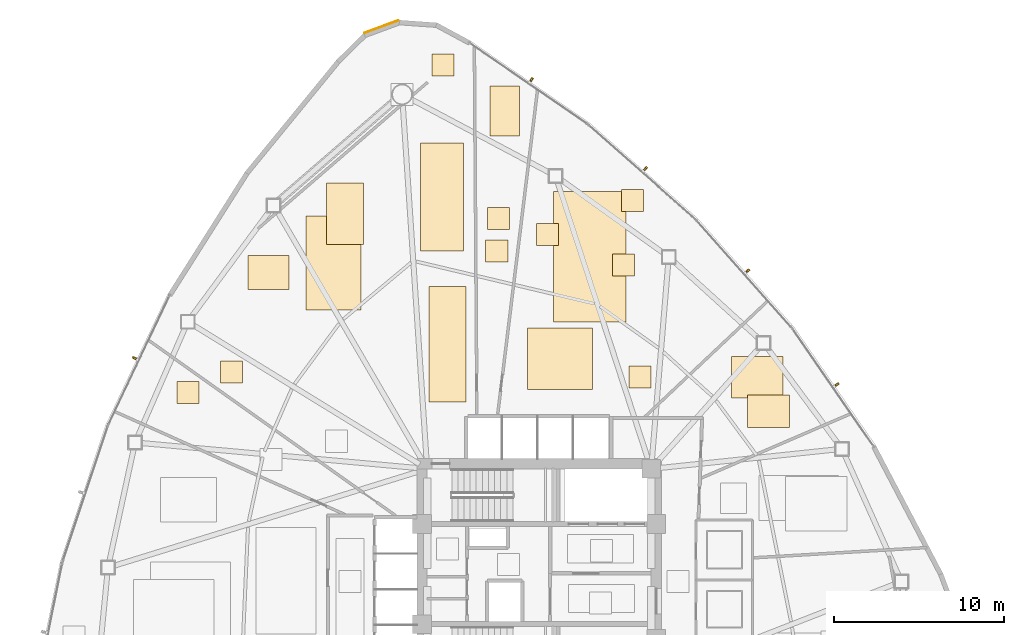
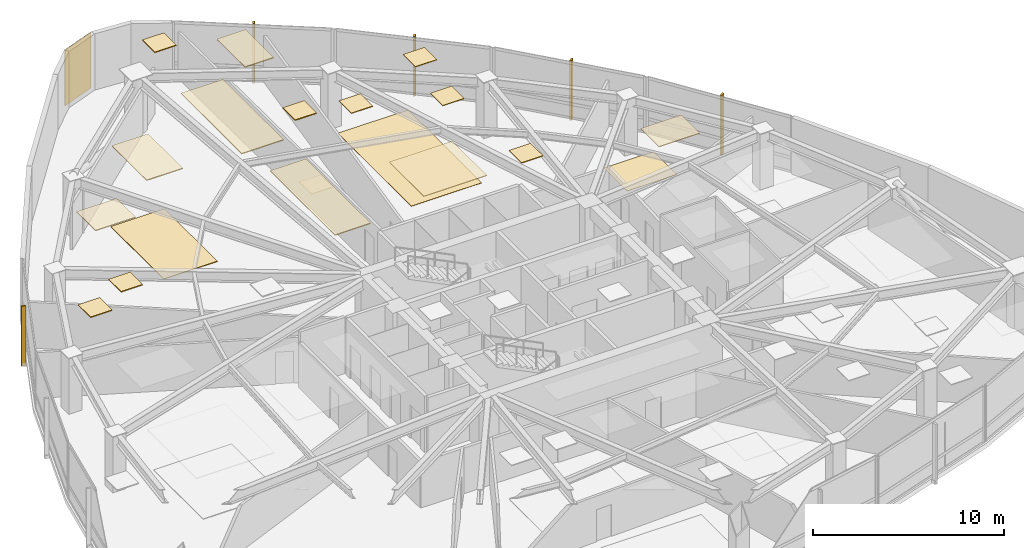
# One storey, part 18 of 18: 20 coverings, 5 shading devices.
"""IFC4 building model written with IfcOpenShell, lengths in metres."""

from ifc_helpers import new_model, si_unit, direction, frame, origin, origin_2d, place, context, subcontext, project, spatial, polyline, rectangle, outline, extrude, source, transform, mapped, material, layer, layer_set, type_object, type_shapes, element, save


model = new_model("IFC4")

# Units and contexts
model_context = context("Model", 3, precision=1e-05, world=origin(), true_north=direction((0.0, 1.0)))
body_context = subcontext(model_context, "Body", "Model", "MODEL_VIEW")
ifc_project = project(units=[si_unit("LENGTHUNIT", "METRE"), si_unit("AREAUNIT", "SQUARE_METRE"), si_unit("VOLUMEUNIT", "CUBIC_METRE"), si_unit("PLANEANGLEUNIT", "RADIAN"), si_unit("MASSUNIT", "GRAM", prefix="KILO")], contexts=[model_context])

# Site, building, storey
site_placement = place(None, origin())
site = spatial("IfcSite", under=ifc_project, at=site_placement, CompositionType="ELEMENT")
building_placement = place(site_placement, origin())
building = spatial("IfcBuilding", under=site, at=building_placement, Name="Tavelor Broadcast Tower", CompositionType="ELEMENT")
storey_placement = place(building_placement, frame((0.0, 0.0, 58.800048828125)))
storey = spatial("IfcBuildingStorey", under=building, at=storey_placement, Name="L13", CompositionType="ELEMENT", Elevation=58.800048828125)

# Coverings
ifc_material_1 = material(Name="Copper-Bronze Anodized Aluminium", Category="aluminium")
ifc_layer_1 = layer(ifc_material_1, 0.050048828125)
ifc_layer_set_1 = layer_set([ifc_layer_1], Name="Copper-Bronze Anodized Aluminium")
covering_type_1 = type_object("IfcCoveringType", Name="Champagne-Bronze Corner Pier Metal Cladding 50 mm", PredefinedType="CLADDING", material=ifc_layer_set_1)
covering_1_placement = place(storey_placement, frame((40.7041015625, 77.2587890625, 0.02001953125), z_axis=(0.0, 0.0, 1.0), x_axis=(-0.938191335922, -0.346117057077, 0.0)))
element("IfcCovering", 1, at=covering_1_placement, inside=storey, type_object=covering_type_1, Name="L13 Champagne-Bronze Corner Cladding 03", PredefinedType="CLADDING", context=body_context, shape_type="SweptSolid", body=[
    extrude(rectangle(XDim=2.137451171875, YDim=0.050048828125, at=origin_2d()), origin(), (0.0, 0.0, 1.0), 3.56005859375),
])
ifc_material_2 = material(Name="Acoustic Nylon Carpet Tile")
ifc_layer_2 = layer(ifc_material_2, 0.02001953125)
ifc_layer_set_2 = layer_set([ifc_layer_2], Name="Acoustic Nylon Carpet Tile")
covering_type_2 = type_object("IfcCoveringType", Name="Heavy-Duty Acoustic Broadcast Carpet Tile 20 mm", PredefinedType="FLOORING", material=ifc_layer_set_2)
covering_2_placement = place(storey_placement, origin())
element("IfcCovering", 2, at=covering_2_placement, inside=storey, type_object=covering_type_2, Name="L13 Broadcast Floor Finish 0183", PredefinedType="FLOORING", context=body_context, shape_type="SweptSolid", body=[
    extrude(outline(polyline([(50.851806640625, 59.84765625), (55.11669921875, 59.84765625), (55.11669921875, 67.553466796875), (50.851806640625, 67.553466796875), (50.851806640625, 59.84765625)])), origin(), (0.0, 0.0, 1.0), 0.02001953125),
])
covering_3_placement = place(storey_placement, origin())
element("IfcCovering", 3, at=covering_3_placement, inside=storey, type_object=covering_type_2, Name="L13 Broadcast Floor Finish 0184", PredefinedType="FLOORING", context=body_context, shape_type="SweptSolid", body=[
    extrude(outline(polyline([(61.34326171875, 55.376708984375), (64.369140625, 55.376708984375), (64.369140625, 57.819580078125), (61.34326171875, 57.819580078125), (61.34326171875, 55.376708984375)])), origin(), (0.0, 0.0, 1.0), 0.02001953125),
])
ifc_material_3 = material(Name="Acoustic Hardwood Studio Flooring", Category="wood")
ifc_layer_3 = layer(ifc_material_3, 0.034912109375)
ifc_layer_set_3 = layer_set([ifc_layer_3], Name="Acoustic Hardwood Studio Flooring")
covering_type_3 = type_object("IfcCoveringType", Name="Isolated Studio Acoustic Elastomeric Floor Finish 35 mm", PredefinedType="FLOORING", material=ifc_layer_set_3)
covering_4_placement = place(storey_placement, origin())
element("IfcCovering", 4, at=covering_4_placement, inside=storey, type_object=covering_type_3, Name="L13 Broadcast Floor Finish 0181", PredefinedType="FLOORING", context=body_context, shape_type="SweptSolid", body=[
    extrude(outline(polyline([(36.264404296875, 60.55322265625), (39.514404296875, 60.55322265625), (39.514404296875, 66.10400390625), (36.264404296875, 66.10400390625), (36.264404296875, 60.55322265625)])), origin(), (0.0, 0.0, 1.0), 0.034912109375),
])
covering_5_placement = place(storey_placement, origin())
element("IfcCovering", 5, at=covering_5_placement, inside=storey, type_object=covering_type_3, Name="L13 Broadcast Floor Finish 0182", PredefinedType="FLOORING", context=body_context, shape_type="SweptSolid", body=[
    extrude(outline(polyline([(46.850830078125, 63.39892578125), (48.15087890625, 63.39892578125), (48.15087890625, 64.698974609375), (46.850830078125, 64.698974609375), (46.850830078125, 63.39892578125)])), origin(), (0.0, 0.0, 1.0), 0.034912109375),
])
ifc_material_4 = material(Name="Acoustic Perforated Timber Baffle", Category="wood")
ifc_layer_4 = layer(ifc_material_4, 0.054931640625)
ifc_layer_set_4 = layer_set([ifc_layer_4], Name="Acoustic Perforated Timber Baffle")
covering_type_4 = type_object("IfcCoveringType", Name="Micro-Perforated Acoustic Baffle Studio Ceiling 55 mm", PredefinedType="CEILING", material=ifc_layer_set_4)
covering_6_placement = place(storey_placement, frame((0.0, 0.0, 3.544921875)))
element("IfcCovering", 6, at=covering_6_placement, inside=storey, type_object=covering_type_4, Name="L13 Suspended Acoustic Ceiling 0509", PredefinedType="CEILING", context=body_context, shape_type="SweptSolid", body=[
    extrude(outline(polyline([(28.65625, 55.0517578125), (29.956298828125, 55.0517578125), (29.956298828125, 56.351806640625), (28.65625, 56.351806640625), (28.65625, 55.0517578125)])), origin(), (0.0, 0.0, 1.0), 0.054931640625),
])
covering_7_placement = place(storey_placement, frame((0.0, 0.0, 3.544921875)))
element("IfcCovering", 7, at=covering_7_placement, inside=storey, type_object=covering_type_4, Name="L13 Suspended Acoustic Ceiling 0510", PredefinedType="CEILING", context=body_context, shape_type="SweptSolid", body=[
    extrude(outline(polyline([(32.84033203125, 61.7822265625), (35.2724609375, 61.7822265625), (35.2724609375, 63.76416015625), (32.84033203125, 63.76416015625), (32.84033203125, 61.7822265625)])), origin(), (0.0, 0.0, 1.0), 0.054931640625),
])
covering_8_placement = place(storey_placement, frame((0.0, 0.0, 3.544921875)))
element("IfcCovering", 8, at=covering_8_placement, inside=storey, type_object=covering_type_4, Name="L13 Suspended Acoustic Ceiling 0511", PredefinedType="CEILING", context=body_context, shape_type="SweptSolid", body=[
    extrude(outline(polyline([(37.46337890625, 64.42236328125), (39.65283203125, 64.42236328125), (39.65283203125, 68.059814453125), (37.46337890625, 68.059814453125), (37.46337890625, 64.42236328125)])), origin(), (0.0, 0.0, 1.0), 0.054931640625),
])
covering_9_placement = place(storey_placement, frame((0.0, 0.0, 3.544921875)))
element("IfcCovering", 9, at=covering_9_placement, inside=storey, type_object=covering_type_4, Name="L13 Suspended Acoustic Ceiling 0512", PredefinedType="CEILING", context=body_context, shape_type="SweptSolid", body=[
    extrude(outline(polyline([(43.001220703125, 64.03515625), (45.542724609375, 64.03515625), (45.542724609375, 70.407470703125), (43.001220703125, 70.407470703125), (43.001220703125, 64.03515625)])), origin(), (0.0, 0.0, 1.0), 0.054931640625),
])
covering_10_placement = place(storey_placement, frame((0.0, 0.0, 3.544921875)))
element("IfcCovering", 10, at=covering_10_placement, inside=storey, type_object=covering_type_4, Name="L13 Suspended Acoustic Ceiling 0513", PredefinedType="CEILING", context=body_context, shape_type="SweptSolid", body=[
    extrude(outline(polyline([(43.692626953125, 74.341552734375), (44.99267578125, 74.341552734375), (44.99267578125, 75.6416015625), (43.692626953125, 75.6416015625), (43.692626953125, 74.341552734375)])), origin(), (0.0, 0.0, 1.0), 0.054931640625),
])
covering_11_placement = place(storey_placement, frame((0.0, 0.0, 3.544921875)))
element("IfcCovering", 11, at=covering_11_placement, inside=storey, type_object=covering_type_4, Name="L13 Suspended Acoustic Ceiling 0514", PredefinedType="CEILING", context=body_context, shape_type="SweptSolid", body=[
    extrude(outline(polyline([(43.51171875, 55.144775390625), (45.674560546875, 55.144775390625), (45.674560546875, 61.934326171875), (43.51171875, 61.934326171875), (43.51171875, 55.144775390625)])), origin(), (0.0, 0.0, 1.0), 0.054931640625),
])
covering_12_placement = place(storey_placement, frame((0.0, 0.0, 3.544921875)))
element("IfcCovering", 12, at=covering_12_placement, inside=storey, type_object=covering_type_4, Name="L13 Suspended Acoustic Ceiling 0516", PredefinedType="CEILING", context=body_context, shape_type="SweptSolid", body=[
    extrude(outline(polyline([(31.20751953125, 56.26708984375), (32.50732421875, 56.26708984375), (32.50732421875, 57.56689453125), (31.20751953125, 57.56689453125), (31.20751953125, 56.26708984375)])), origin(), (0.0, 0.0, 1.0), 0.054931640625),
])
covering_13_placement = place(storey_placement, frame((0.0, 0.0, 3.544921875)))
element("IfcCovering", 13, at=covering_13_placement, inside=storey, type_object=covering_type_4, Name="L13 Suspended Acoustic Ceiling 0517", PredefinedType="CEILING", context=body_context, shape_type="SweptSolid", body=[
    extrude(outline(polyline([(46.960693359375, 65.29248046875), (48.2607421875, 65.29248046875), (48.2607421875, 66.592529296875), (46.960693359375, 66.592529296875), (46.960693359375, 65.29248046875)])), origin(), (0.0, 0.0, 1.0), 0.054931640625),
])
covering_14_placement = place(storey_placement, frame((0.0, 0.0, 3.544921875)))
element("IfcCovering", 14, at=covering_14_placement, inside=storey, type_object=covering_type_4, Name="L13 Suspended Acoustic Ceiling 0518", PredefinedType="CEILING", context=body_context, shape_type="SweptSolid", body=[
    extrude(outline(polyline([(47.105224609375, 70.80712890625), (48.849853515625, 70.80712890625), (48.849853515625, 73.757080078125), (47.105224609375, 73.757080078125), (47.105224609375, 70.80712890625)])), origin(), (0.0, 0.0, 1.0), 0.054931640625),
])
ifc_material_5 = material(Name="Acoustic Mineral Fibre Tile")
ifc_layer_5 = layer(ifc_material_5, 0.0400390625)
ifc_layer_set_5 = layer_set([ifc_layer_5], Name="Acoustic Mineral Fibre Tile")
covering_type_5 = type_object("IfcCoveringType", Name="Suspended Acoustic Mineral-Fibre Office Ceiling 40 mm", PredefinedType="CEILING", material=ifc_layer_set_5)
covering_15_placement = place(storey_placement, frame((0.0, 0.0, 3.56005859375)))
element("IfcCovering", 15, at=covering_15_placement, inside=storey, type_object=covering_type_5, Name="L13 Suspended Acoustic Ceiling 0519", PredefinedType="CEILING", context=body_context, shape_type="SweptSolid", body=[
    extrude(outline(polyline([(54.859619140625, 66.356201171875), (56.15966796875, 66.356201171875), (56.15966796875, 67.65625), (54.859619140625, 67.65625), (54.859619140625, 66.356201171875)])), origin(), (0.0, 0.0, 1.0), 0.039794921875),
])
covering_16_placement = place(storey_placement, frame((0.0, 0.0, 3.56005859375)))
element("IfcCovering", 16, at=covering_16_placement, inside=storey, type_object=covering_type_5, Name="L13 Suspended Acoustic Ceiling 0520", PredefinedType="CEILING", context=body_context, shape_type="SweptSolid", body=[
    extrude(outline(polyline([(55.294921875, 55.96728515625), (56.594970703125, 55.96728515625), (56.594970703125, 57.267333984375), (55.294921875, 57.267333984375), (55.294921875, 55.96728515625)])), origin(), (0.0, 0.0, 1.0), 0.039794921875),
])
covering_17_placement = place(storey_placement, frame((0.0, 0.0, 3.56005859375)))
element("IfcCovering", 17, at=covering_17_placement, inside=storey, type_object=covering_type_5, Name="L13 Suspended Acoustic Ceiling 0521", PredefinedType="CEILING", context=body_context, shape_type="SweptSolid", body=[
    extrude(outline(polyline([(49.318115234375, 55.872314453125), (53.139892578125, 55.872314453125), (53.139892578125, 59.500732421875), (49.318115234375, 59.500732421875), (49.318115234375, 55.872314453125)])), origin(), (0.0, 0.0, 1.0), 0.039794921875),
])
covering_18_placement = place(storey_placement, frame((0.0, 0.0, 3.56005859375)))
element("IfcCovering", 18, at=covering_18_placement, inside=storey, type_object=covering_type_5, Name="L13 Suspended Acoustic Ceiling 0522", PredefinedType="CEILING", context=body_context, shape_type="SweptSolid", body=[
    extrude(outline(polyline([(49.8330078125, 64.360595703125), (51.1328125, 64.360595703125), (51.1328125, 65.660400390625), (49.8330078125, 65.660400390625), (49.8330078125, 64.360595703125)])), origin(), (0.0, 0.0, 1.0), 0.039794921875),
])
covering_19_placement = place(storey_placement, frame((0.0, 0.0, 3.56005859375)))
element("IfcCovering", 19, at=covering_19_placement, inside=storey, type_object=covering_type_5, Name="L13 Suspended Acoustic Ceiling 0523", PredefinedType="CEILING", context=body_context, shape_type="SweptSolid", body=[
    extrude(outline(polyline([(54.32470703125, 62.56884765625), (55.62451171875, 62.56884765625), (55.62451171875, 63.868896484375), (54.32470703125, 63.868896484375), (54.32470703125, 62.56884765625)])), origin(), (0.0, 0.0, 1.0), 0.039794921875),
])
covering_20_placement = place(storey_placement, frame((0.0, 0.0, 3.56005859375)))
element("IfcCovering", 20, at=covering_20_placement, inside=storey, type_object=covering_type_5, Name="L13 Suspended Acoustic Ceiling 0524", PredefinedType="CEILING", context=body_context, shape_type="SweptSolid", body=[
    extrude(outline(polyline([(62.264892578125, 53.637451171875), (64.74755859375, 53.637451171875), (64.74755859375, 55.5673828125), (62.264892578125, 55.5673828125), (62.264892578125, 53.637451171875)])), origin(), (0.0, 0.0, 1.0), 0.039794921875),
])

# Shading devices
ifc_material_6 = material(Name="Kiln-Fired Glazed Terracotta", Category="masonry")
shading_device_type = type_object("IfcShadingDeviceType", Name="Extruded Terracotta Baguette Sun-Screen 110x240", PredefinedType="JALOUSIE", material=ifc_material_6)
shared_shape = source(origin(), body_context, "Body", "SweptSolid", [
    extrude(rectangle(XDim=0.110107421875, YDim=0.239990234375, at=origin_2d()), origin(), (0.0, 0.0, 1.0), 3.840087890625),
])
type_shapes(shading_device_type, [shared_shape])
for number, where, z_axis, x_axis, name in (
    (21, (26.145263671875, 57.73388671875, -0.26025390625), (0.0, 0.0, 1.0), (-0.428619783775, -0.903484964433, 0.0), "L13 Terracotta Baguette Fin 109"),
    (22, (67.555419921875, 56.17431640625, -0.26025390625), (0.0, 0.0, 1.0), (-0.568131039249, 0.82293810353, 0.0), "L13 Terracotta Baguette Fin 117"),
    (23, (62.298095703125, 62.879150390625, -0.26025390625), (0.0, 0.0, 1.0), (-0.663665141432, 0.748029798903, 0.0), "L13 Terracotta Baguette Fin 118"),
    (24, (56.26806640625, 68.8984375, -0.26025390625), (0.0, 0.0, 1.0), (-0.749302565154, 0.662227805105, 0.0), "L13 Terracotta Baguette Fin 119"),
    (25, (49.5537109375, 74.14404296875, -0.26025390625), (0.0, 0.0, 1.0), (-0.823928425343, 0.56669387672, 0.0), "L13 Terracotta Baguette Fin 120"),
):
    element("IfcShadingDevice", number, at=place(storey_placement, frame(where, z_axis=z_axis, x_axis=x_axis)), inside=storey, type_object=shading_device_type, Name=name, PredefinedType="JALOUSIE", context=body_context, shape_type="MappedRepresentation", body=[
        mapped(shared_shape, transform((0.0, 0.0, 0.0), scale=1.0)),
    ])

save(model, "model.ifc")
